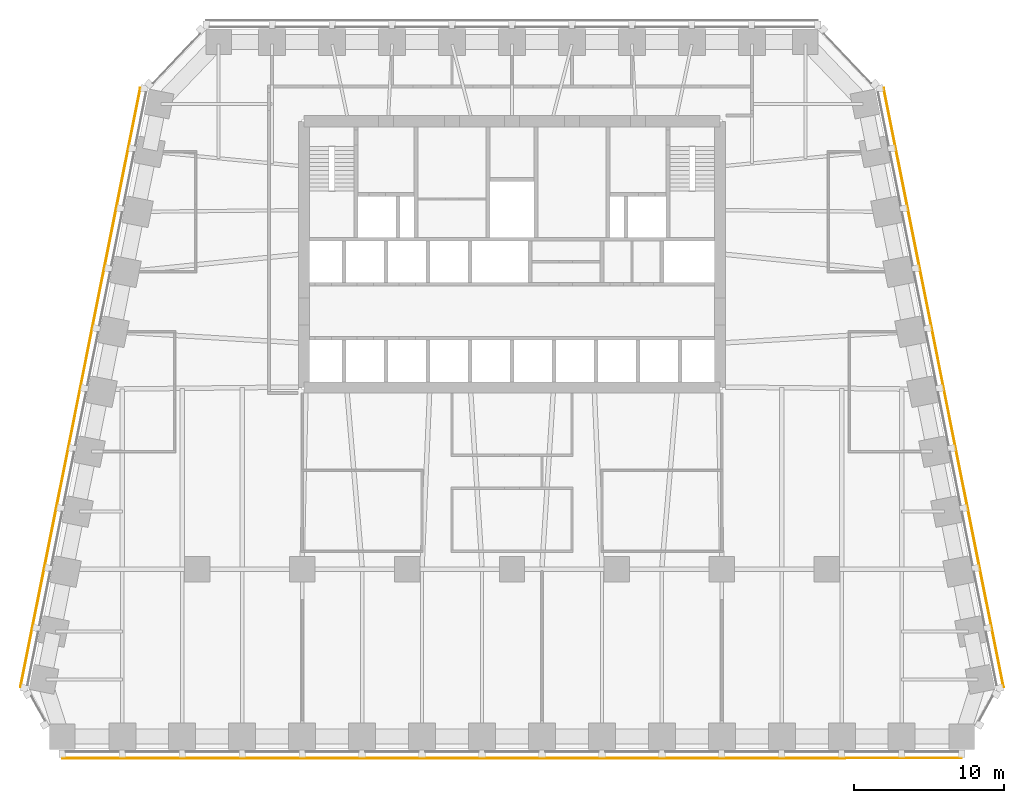
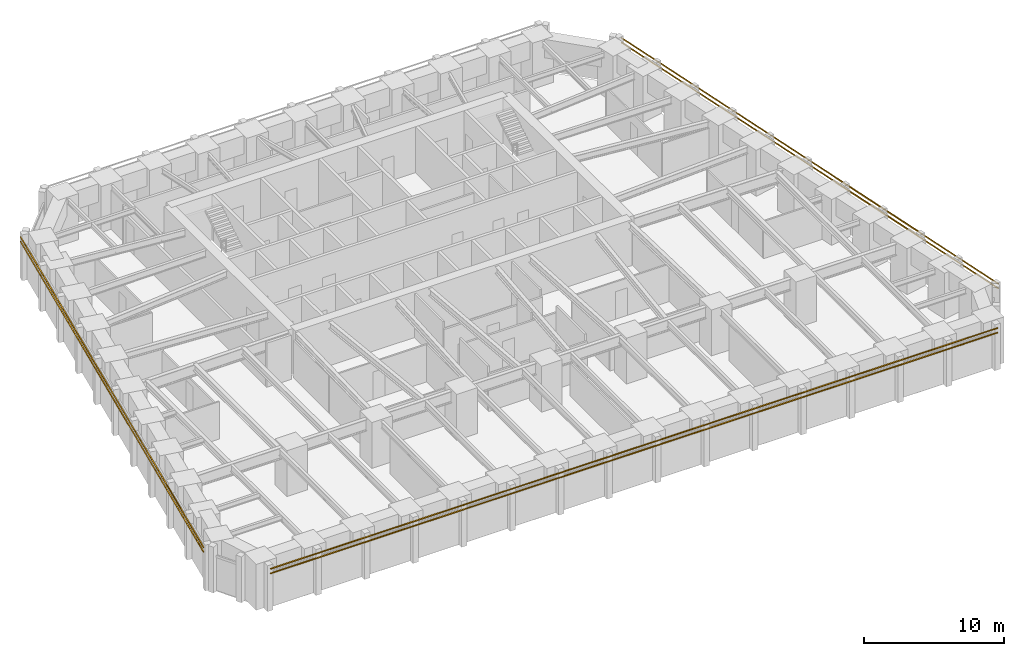
# One storey, part 9 of 10: 6 shading devices.
"""IFC4 building model written with IfcOpenShell, lengths in metres."""

from ifc_helpers import new_model, si_unit, direction, frame, origin, origin_2d, place, context, subcontext, project, spatial, rectangle, extrude, material, material_profile, profile_set, type_object, element, save


model = new_model("IFC4")

# Units and contexts
model_context = context("Model", 3, precision=1e-05, world=origin(), true_north=direction((0.0, 1.0)))
body_context = subcontext(model_context, "Body", "Model", "MODEL_VIEW")
ifc_project = project(units=[si_unit("LENGTHUNIT", "METRE"), si_unit("AREAUNIT", "SQUARE_METRE"), si_unit("VOLUMEUNIT", "CUBIC_METRE"), si_unit("PLANEANGLEUNIT", "RADIAN"), si_unit("MASSUNIT", "GRAM", prefix="KILO")], contexts=[model_context])

# Site, building, storey
site_placement = place(None, origin())
site = spatial("IfcSite", under=ifc_project, at=site_placement, CompositionType="ELEMENT")
building_placement = place(site_placement, origin())
building = spatial("IfcBuilding", under=site, at=building_placement, Name="Isbrekke Arena Tower", CompositionType="ELEMENT")
storey_placement = place(building_placement, frame((0.0, 0.0, 139.0)))
storey = spatial("IfcBuildingStorey", under=building, at=storey_placement, Name="L31", CompositionType="ELEMENT", Elevation=139.0)

# Shading devices
ifc_material = material(Name="Terracotta", Category="masonry")
ifc_material_profile = material_profile(ifc_material, rectangle(XDim=0.06005859375, YDim=0.06005859375, at=origin_2d()), Name="BAGUETTE 60X60")
ifc_profile_set = profile_set([ifc_material_profile], Name="Terracotta")
shading_device_type = type_object("IfcShadingDeviceType", Name="BG1 TERRACOTTA BAGUETTE 60 x 60", PredefinedType="USERDEFINED", material=ifc_profile_set)
for number, where, z_axis, x_axis, name in (
    (1, (-30.0, -18.60498046875, 3.280029296875), (1.0, 0.0, 0.0), (0.0, 1.0, 0.0), "BG1 terracotta baguette S1 L31"),
    (2, (-30.0, -18.60498046875, 3.679931640625), (1.0, 0.0, 0.0), (0.0, 1.0, 0.0), "BG1 terracotta baguette S2 L31"),
):
    element("IfcShadingDevice", number, at=place(storey_placement, frame(where, z_axis=z_axis, x_axis=x_axis)), inside=storey, type_object=shading_device_type, Name=name, ObjectType="TERRACOTTA BAGUETTE", PredefinedType="USERDEFINED", context=body_context, shape_type="SweptSolid", body=[
        extrude(rectangle(XDim=0.06005859375, YDim=0.06005859375, at=origin_2d()), origin(), (0.0, 0.0, 1.0), 60.0),
    ])
for number, where, z_axis, x_axis, name in (
    (3, (32.793212890625, -13.88134765625, 3.280029296875), (-0.196116135138, 0.980580675691, 0.0), (-0.980580675691, -0.196116135138, 0.0), "BG1 terracotta baguette E1 L31"),
    (4, (32.793212890625, -13.88134765625, 3.679931640625), (-0.196116135138, 0.980580675691, 0.0), (-0.980580675691, -0.196116135138, 0.0), "BG1 terracotta baguette E2 L31"),
    (5, (-24.793212890625, 26.11865234375, 3.280029296875), (-0.196116135138, -0.980580675691, 0.0), (0.980580675691, -0.196116135138, 0.0), "BG1 terracotta baguette W1 L31"),
    (6, (-24.793212890625, 26.11865234375, 3.679931640625), (-0.196116135138, -0.980580675691, 0.0), (0.980580675691, -0.196116135138, 0.0), "BG1 terracotta baguette W2 L31"),
):
    element("IfcShadingDevice", number, at=place(storey_placement, frame(where, z_axis=z_axis, x_axis=x_axis)), inside=storey, type_object=shading_device_type, Name=name, ObjectType="TERRACOTTA BAGUETTE", PredefinedType="USERDEFINED", context=body_context, shape_type="SweptSolid", body=[
        extrude(rectangle(XDim=0.06005859375, YDim=0.06005859375, at=origin_2d()), origin(), (0.0, 0.0, 1.0), 40.792236328125),
    ])

save(model, "model.ifc")
